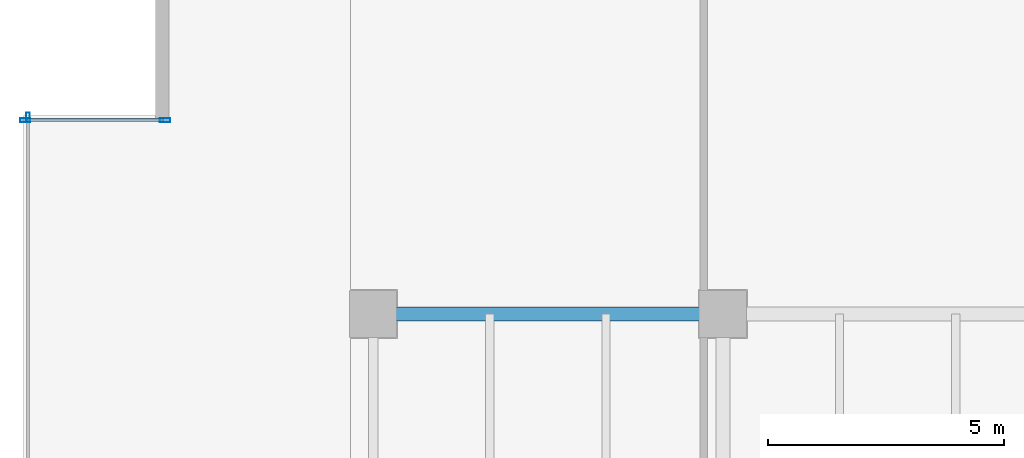
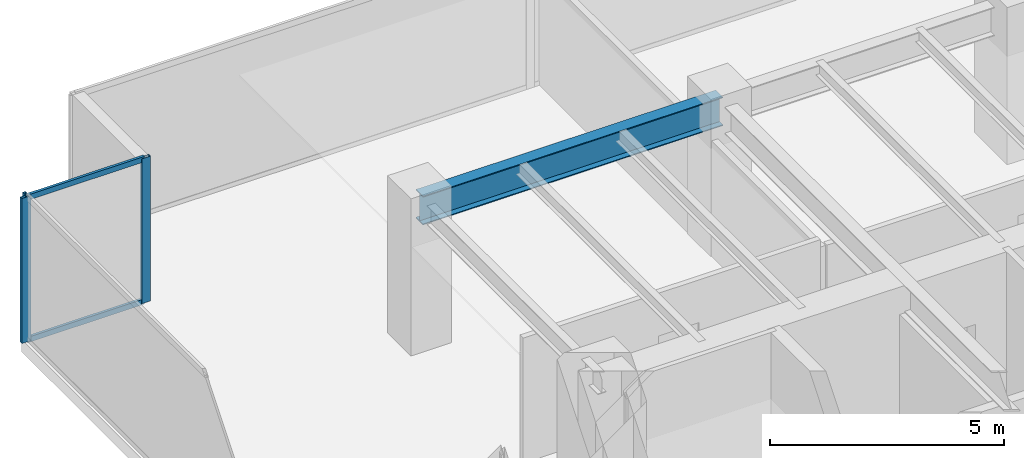
# One storey, part 12 of 36: 5 members, 1 beam, 2 elements without a shape of their own.
"""IFC4 building model written with IfcOpenShell, lengths in metres."""

from ifc_helpers import new_model, si_unit, direction, frame, origin, origin_2d, place, context, subcontext, project, spatial, hollow_rectangle, i_section, extrude, source, transform, mapped, material, layer, layer_set, material_profile, profile_set, type_object, type_shapes, element, aggregate, save


model = new_model("IFC4")

# Units and contexts
model_context = context("Model", 3, precision=1e-05, world=origin(), true_north=direction((0.0, 1.0)))
body_context = subcontext(model_context, "Body", "Model", "MODEL_VIEW")
ifc_project = project(units=[si_unit("LENGTHUNIT", "METRE"), si_unit("AREAUNIT", "SQUARE_METRE"), si_unit("VOLUMEUNIT", "CUBIC_METRE"), si_unit("PLANEANGLEUNIT", "RADIAN"), si_unit("MASSUNIT", "GRAM", prefix="KILO")], contexts=[model_context])

# Site, building, storey
site_placement = place(None, origin())
site = spatial("IfcSite", under=ifc_project, at=site_placement, CompositionType="ELEMENT")
building_placement = place(site_placement, origin())
building = spatial("IfcBuilding", under=site, at=building_placement, Name="Haelvirn Gate Laboratories", CompositionType="ELEMENT")
storey_placement = place(building_placement, frame((0.0, 0.0, 53.89990234375)))
storey = spatial("IfcBuildingStorey", under=building, at=storey_placement, Name="L13", CompositionType="ELEMENT", Elevation=53.89990234375)

# Beam
ifc_material_1 = material(Name="Steel SM355", Category="steel")
ifc_material_profile_1 = material_profile(ifc_material_1, i_section(OverallWidth=0.300048828125, OverallDepth=0.75, WebThickness=0.013916015625, FlangeThickness=0.02392578125, at=origin_2d()), Name="H-750x300x14x24")
ifc_profile_set_1 = profile_set([ifc_material_profile_1], Name="Steel SM355")
beam_type = type_object("IfcBeamType", Name="BM-G-750", PredefinedType="BEAM", material=ifc_profile_set_1)
shared_shape_1 = source(origin(), body_context, "Body", "SweptSolid", [
    extrude(i_section(OverallWidth=0.300048828125, OverallDepth=0.75, WebThickness=0.013916015625, FlangeThickness=0.02392578125, at=origin_2d()), origin(), (0.0, 0.0, 1.0), 7.400146484375),
])
type_shapes(beam_type, [shared_shape_1])
beam_placement = place(storey_placement, frame((7.39990234375, 41.60009765625, 3.405029296875), z_axis=(1.0, 0.0, 0.0), x_axis=(0.0, 1.0, 0.0)))
element("IfcBeam", 1, at=beam_placement, inside=storey, type_object=beam_type, Name="L13 Primary Girder Y41.6 (7.4-14.8)", PredefinedType="BEAM", context=body_context, shape_type="MappedRepresentation", body=[
    mapped(shared_shape_1, transform((0.0, 0.0, 0.0), scale=1.0)),
])

# Curtain wall, member
ifc_material_2 = material(Name="Anodised bronze unitised aluminium & triple low-E glass", Category="aluminium")
ifc_layer_1 = layer(ifc_material_2, 0.18408203125, Name="CW-SYS-2")
ifc_layer_set_1 = layer_set([ifc_layer_1], Name="Anodised bronze unitised aluminium & triple low-E glass")
curtain_wall_type_1 = type_object("IfcCurtainWallType", Name="CW-SYS-2", PredefinedType="NOTDEFINED", material=ifc_layer_set_1)
curtain_wall_1_placement = place(storey_placement, origin())
curtain_wall_1 = element("IfcCurtainWall", 2, at=curtain_wall_1_placement, inside=storey, type_object=curtain_wall_type_1, Name="L13 Unitised Curtain Wall CW-L13-P0-E17", PredefinedType="NOTDEFINED")
ifc_material_3 = material(Name="Extruded aluminium 6063-T6 (anodised bronze)", Category="aluminium")
ifc_material_profile_2 = material_profile(ifc_material_3, hollow_rectangle(XDim=0.074951171875, YDim=0.199951171875, WallThickness=0.0048828125, at=origin_2d()), Name="CWM-200x75x5")
ifc_profile_set_2 = profile_set([ifc_material_profile_2], Name="Extruded aluminium 6063-T6 (anodised bronze)")
member_type_1 = type_object("IfcMemberType", Name="CWM-T200", PredefinedType="MULLION", material=ifc_profile_set_2)
shared_shape_2 = source(origin(), body_context, "Body", "SweptSolid", [
    extrude(hollow_rectangle(XDim=0.074951171875, YDim=0.199951171875, WallThickness=0.0048828125, at=origin_2d()), origin(), (0.0, 0.0, 1.0), 3.780029296875),
])
type_shapes(member_type_1, [shared_shape_2])
member_1_placement = place(storey_placement, frame((0.10009765625, 45.762451171875, 0.0), z_axis=(0.0, 0.0, 1.0), x_axis=(1.0, 0.0, 0.0)))
member_1 = element("IfcMember", 3, at=member_1_placement, type_object=member_type_1, Name="CW2 mullion 1", PredefinedType="MULLION", context=body_context, shape_type="MappedRepresentation", body=[
    mapped(shared_shape_2, transform((0.0, 0.0, 0.0), scale=1.0)),
])
aggregate(curtain_wall_1, [member_1])

# Curtain wall, members
ifc_layer_2 = layer(ifc_material_2, 0.181884765625, Name="CW-SYS-5")
ifc_layer_set_2 = layer_set([ifc_layer_2], Name="Anodised bronze unitised aluminium & triple low-E glass")
curtain_wall_type_2 = type_object("IfcCurtainWallType", Name="CW-SYS-5", PredefinedType="NOTDEFINED", material=ifc_layer_set_2)
curtain_wall_2_placement = place(storey_placement, origin())
curtain_wall_2 = element("IfcCurtainWall", 4, at=curtain_wall_2_placement, inside=storey, type_object=curtain_wall_type_2, Name="L13 Unitised Curtain Wall CW-L13-P0-E16-1", PredefinedType="NOTDEFINED")
ifc_material_profile_3 = material_profile(ifc_material_3, hollow_rectangle(XDim=0.080078125, YDim=0.219970703125, WallThickness=0.006103515625, at=origin_2d()), Name="CWM-220x80x6")
ifc_profile_set_3 = profile_set([ifc_material_profile_3], Name="Extruded aluminium 6063-T6 (anodised bronze)")
member_type_2 = type_object("IfcMemberType", Name="CWM-T220", PredefinedType="MULLION", material=ifc_profile_set_3)
shared_shape_3 = source(origin(), body_context, "Body", "SweptSolid", [
    extrude(hollow_rectangle(XDim=0.080078125, YDim=0.219970703125, WallThickness=0.006103515625, at=origin_2d()), origin(), (0.0, 0.0, 1.0), 3.780029296875),
])
type_shapes(member_type_2, [shared_shape_3])
member_2_placement = place(storey_placement, frame((0.0400390625, 45.699951171875, 0.0), z_axis=(0.0, 0.0, 1.0), x_axis=(0.0, 1.0, 0.0)))
member_2 = element("IfcMember", 5, at=member_2_placement, type_object=member_type_2, Name="CW5 mullion 1", PredefinedType="MULLION", context=body_context, shape_type="MappedRepresentation", body=[
    mapped(shared_shape_3, transform((0.0, 0.0, 0.0), scale=1.0)),
])
member_3_placement = place(storey_placement, frame((3.0, 45.699951171875, 0.0), z_axis=(0.0, 0.0, 1.0), x_axis=(0.0, 1.0, 0.0)))
member_3 = element("IfcMember", 6, at=member_3_placement, type_object=member_type_2, Name="CW5 mullion 2", PredefinedType="MULLION", context=body_context, shape_type="MappedRepresentation", body=[
    mapped(shared_shape_3, transform((0.0, 0.0, 0.0), scale=1.0)),
])
ifc_material_profile_4 = material_profile(ifc_material_3, hollow_rectangle(XDim=0.06494140625, YDim=0.139892578125, WallThickness=0.00390625, at=origin_2d()), Name="CWT-140x65x4")
ifc_profile_set_4 = profile_set([ifc_material_profile_4], Name="Extruded aluminium 6063-T6 (anodised bronze)")
member_type_3 = type_object("IfcMemberType", Name="CWT-T140", PredefinedType="USERDEFINED", material=ifc_profile_set_4)
shared_shape_4 = source(origin(), body_context, "Body", "SweptSolid", [
    extrude(hollow_rectangle(XDim=0.06494140625, YDim=0.139892578125, WallThickness=0.00390625, at=origin_2d()), origin(), (0.0, 0.0, 1.0), 2.8798828125),
])
type_shapes(member_type_3, [shared_shape_4])
member_4_placement = place(storey_placement, frame((0.080078125, 45.699951171875, 0.03271484375), z_axis=(1.0, 0.0, 0.0), x_axis=(0.0, 1.0, 0.0)))
member_4 = element("IfcMember", 7, at=member_4_placement, type_object=member_type_3, Name="CW5 transom 1.1", ObjectType="TRANSOM", PredefinedType="USERDEFINED", context=body_context, shape_type="MappedRepresentation", body=[
    mapped(shared_shape_4, transform((0.0, 0.0, 0.0), scale=1.0)),
])
member_5_placement = place(storey_placement, frame((0.080078125, 45.699951171875, 3.74755859375), z_axis=(1.0, 0.0, 0.0), x_axis=(0.0, 1.0, 0.0)))
member_5 = element("IfcMember", 8, at=member_5_placement, type_object=member_type_3, Name="CW5 transom 1.2", ObjectType="TRANSOM", PredefinedType="USERDEFINED", context=body_context, shape_type="MappedRepresentation", body=[
    mapped(shared_shape_4, transform((0.0, 0.0, 0.0), scale=1.0)),
])
aggregate(curtain_wall_2, [member_2, member_3, member_4, member_5])

save(model, "model.ifc")
